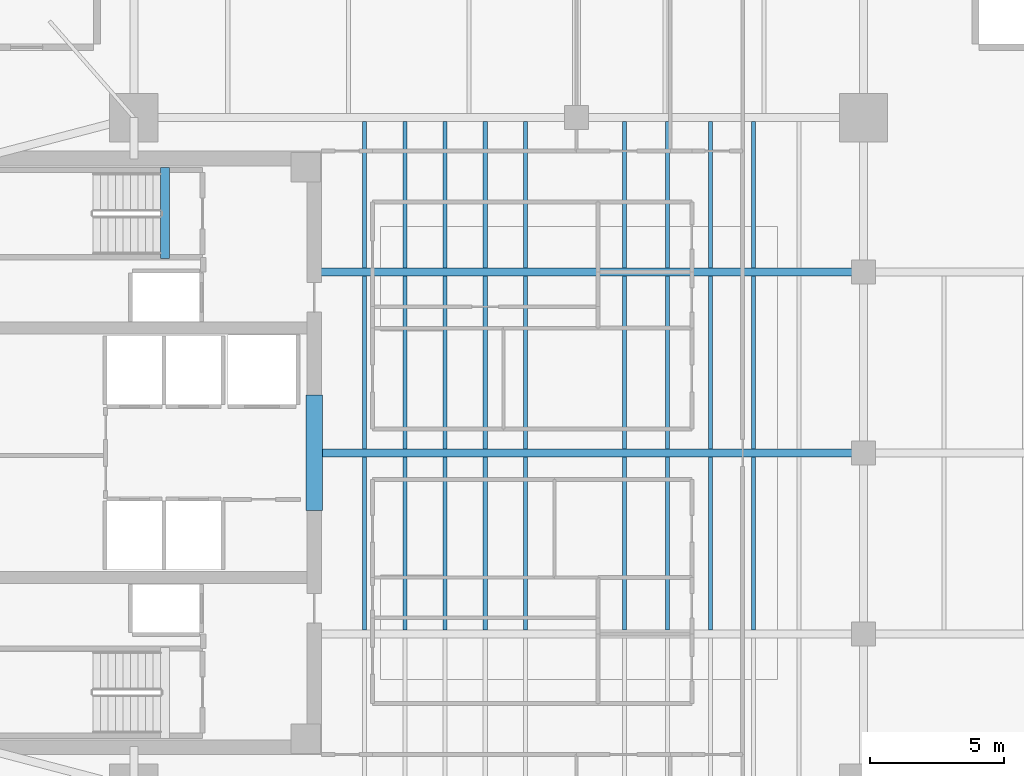
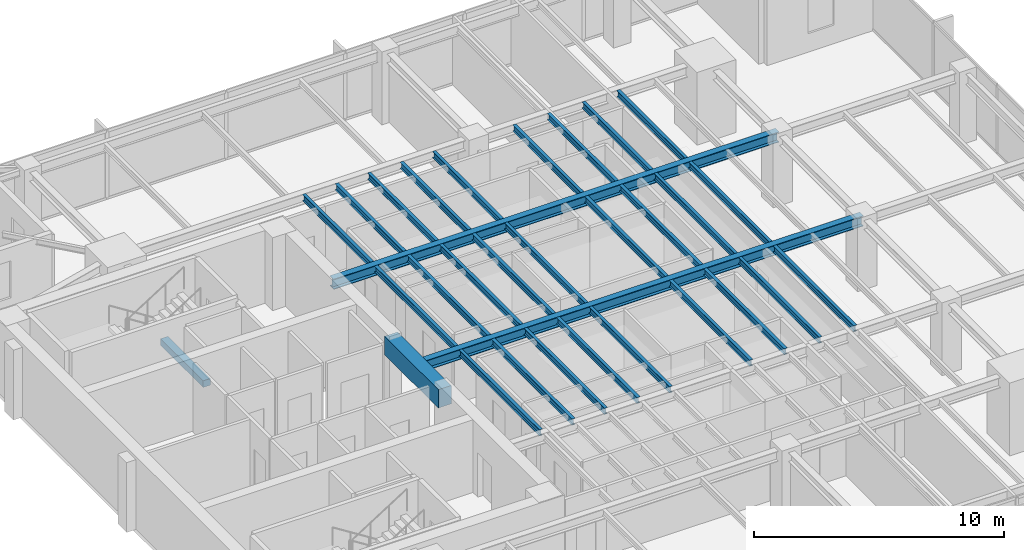
# One storey, part 3 of 14: 31 beams.
"""IFC4 building model written with IfcOpenShell, lengths in metres."""

from ifc_helpers import new_model, si_unit, direction, frame, origin, origin_2d, place, context, subcontext, project, spatial, rectangle, i_section, extrude, material, material_profile, profile_set, type_object, element, save


model = new_model("IFC4")

# Units and contexts
model_context = context("Model", 3, precision=1e-05, world=origin(), true_north=direction((0.0, 1.0)))
body_context = subcontext(model_context, "Body", "Model", "MODEL_VIEW")
ifc_project = project(units=[si_unit("LENGTHUNIT", "METRE"), si_unit("AREAUNIT", "SQUARE_METRE"), si_unit("VOLUMEUNIT", "CUBIC_METRE"), si_unit("PLANEANGLEUNIT", "RADIAN"), si_unit("MASSUNIT", "GRAM", prefix="KILO")], contexts=[model_context])

# Site, building, storey
site_placement = place(None, origin())
site = spatial("IfcSite", under=ifc_project, at=site_placement, CompositionType="ELEMENT")
building_placement = place(site_placement, origin())
building = spatial("IfcBuilding", under=site, at=building_placement, Name="Kinhvarn Gate Tower", CompositionType="ELEMENT")
storey_placement = place(building_placement, frame((0.0, 0.0, 216.449951171875)))
storey = spatial("IfcBuildingStorey", under=building, at=storey_placement, Name="L57", CompositionType="ELEMENT", Elevation=216.449951171875)

# Beams
ifc_material_1 = material(Name="Concrete C60/75", Category="concrete")
ifc_material_profile_1 = material_profile(ifc_material_1, rectangle(XDim=0.60009765625, YDim=0.89990234375, at=origin_2d()), Name="RC 600x900")
ifc_profile_set_1 = profile_set([ifc_material_profile_1], Name="Concrete C60/75")
beam_type_1 = type_object("IfcBeamType", Name="BM-CB-900", PredefinedType="LINTEL", material=ifc_profile_set_1)
beam_1_placement = place(storey_placement, frame((17.72509765625, 23.10009765625, 2.920166015625), z_axis=(0.0, 1.0, 0.0), x_axis=(-1.0, 0.0, 0.0)))
element("IfcBeam", 1, at=beam_1_placement, inside=storey, type_object=beam_type_1, Name="Core East Portal Coupling Beam L57", PredefinedType="LINTEL", context=body_context, shape_type="SweptSolid", body=[
    extrude(rectangle(XDim=0.60009765625, YDim=0.89990234375, at=origin_2d()), origin(), (0.0, 0.0, 1.0), 4.2998046875),
])
ifc_material_2 = material(Name="Concrete C50/60", Category="concrete")
ifc_material_profile_2 = material_profile(ifc_material_2, rectangle(XDim=0.340087890625, YDim=0.320068359375, at=origin_2d()), Name="RC 340x320")
ifc_profile_set_2 = profile_set([ifc_material_profile_2], Name="Concrete C50/60")
beam_type_2 = type_object("IfcBeamType", Name="BM-LND-500", PredefinedType="BEAM", material=ifc_profile_set_2)
beam_2_placement = place(storey_placement, frame((12.1650390625, 32.5, -0.159912109375), z_axis=(0.0, 1.0, 0.0), x_axis=(-1.0, 0.0, 0.0)))
element("IfcBeam", 2, at=beam_2_placement, inside=storey, type_object=beam_type_2, Name="Stair ST2 Landing Nosing Beam (L57)", PredefinedType="BEAM", context=body_context, shape_type="SweptSolid", body=[
    extrude(rectangle(XDim=0.340087890625, YDim=0.320068359375, at=origin_2d()), origin(), (0.0, 0.0, 1.0), 3.39990234375),
])
ifc_material_3 = material(Name="Steel S355", Category="steel")
ifc_material_profile_3 = material_profile(ifc_material_3, i_section(OverallWidth=0.300048828125, OverallDepth=0.5, WebThickness=0.014404296875, FlangeThickness=0.028076171875, at=origin_2d()), Name="HEB 500")
ifc_profile_set_3 = profile_set([ifc_material_profile_3], Name="Steel S355")
beam_type_3 = type_object("IfcBeamType", Name="STL-HEB500", PredefinedType="BEAM", material=ifc_profile_set_3)
beam_3_placement = place(storey_placement, frame((18.02490234375, 25.25, 3.1201171875), z_axis=(1.0, 0.0, 0.0), x_axis=(0.0, 1.0, 0.0)))
element("IfcBeam", 3, at=beam_3_placement, inside=storey, type_object=beam_type_3, Name="Floor Beam PG-14 (L57 EW1-Y25)", PredefinedType="BEAM", context=body_context, shape_type="SweptSolid", body=[
    extrude(i_section(OverallWidth=0.300048828125, OverallDepth=0.5, WebThickness=0.014404296875, FlangeThickness=0.028076171875, at=origin_2d()), origin(), (0.0, 0.0, 1.0), 20.175048828125),
])
beam_4_placement = place(storey_placement, frame((17.64990234375, 32.0, 3.1201171875), z_axis=(1.0, 0.0, 0.0), x_axis=(0.0, 1.0, 0.0)))
element("IfcBeam", 4, at=beam_4_placement, inside=storey, type_object=beam_type_3, Name="Floor Beam PG-14 (L57 EW1-Y32)", PredefinedType="BEAM", context=body_context, shape_type="SweptSolid", body=[
    extrude(i_section(OverallWidth=0.300048828125, OverallDepth=0.5, WebThickness=0.014404296875, FlangeThickness=0.028076171875, at=origin_2d()), origin(), (0.0, 0.0, 1.0), 20.550048828125),
])
ifc_material_profile_4 = material_profile(ifc_material_3, i_section(OverallWidth=0.14990234375, OverallDepth=0.300048828125, WebThickness=0.007080078125, FlangeThickness=0.0107421875, at=origin_2d()), Name="IPE 300")
ifc_profile_set_4 = profile_set([ifc_material_profile_4], Name="Steel S355")
beam_type_4 = type_object("IfcBeamType", Name="STL-IPE300", PredefinedType="JOIST", material=ifc_profile_set_4)
for number, where, z_axis, x_axis, name in (
    (5, (19.60009765625, 18.64990234375, 3.219970703125), (0.0, 1.0, 0.0), (-1.0, 0.0, 0.0), "Floor Joist SB-02 (L57 JC-X196-1)"),
    (6, (19.60009765625, 25.39990234375, 3.219970703125), (0.0, 1.0, 0.0), (-1.0, 0.0, 0.0), "Floor Joist SB-02 (L57 JC-X196-2)"),
):
    element("IfcBeam", number, at=place(storey_placement, frame(where, z_axis=z_axis, x_axis=x_axis)), inside=storey, type_object=beam_type_4, Name=name, PredefinedType="JOIST", context=body_context, shape_type="SweptSolid", body=[
        extrude(i_section(OverallWidth=0.14990234375, OverallDepth=0.300048828125, WebThickness=0.007080078125, FlangeThickness=0.0107421875, at=origin_2d()), origin(), (0.0, 0.0, 1.0), 6.4501953125),
    ])
beam_5_placement = place(storey_placement, frame((19.60009765625, 32.14990234375, 3.219970703125), z_axis=(0.0, 1.0, 0.0), x_axis=(-1.0, 0.0, 0.0)))
element("IfcBeam", 7, at=beam_5_placement, inside=storey, type_object=beam_type_4, Name="Floor Joist SB-02 (L57 JC-X196-3)", PredefinedType="JOIST", context=body_context, shape_type="SweptSolid", body=[
    extrude(i_section(OverallWidth=0.14990234375, OverallDepth=0.300048828125, WebThickness=0.007080078125, FlangeThickness=0.0107421875, at=origin_2d()), origin(), (0.0, 0.0, 1.0), 5.4501953125),
])
for number, where, z_axis, x_axis, name in (
    (8, (21.10009765625, 18.64990234375, 3.219970703125), (0.0, 1.0, 0.0), (-1.0, 0.0, 0.0), "Floor Joist SB-02 (L57 JC-X211-1)"),
    (9, (21.10009765625, 25.39990234375, 3.219970703125), (0.0, 1.0, 0.0), (-1.0, 0.0, 0.0), "Floor Joist SB-02 (L57 JC-X211-2)"),
):
    element("IfcBeam", number, at=place(storey_placement, frame(where, z_axis=z_axis, x_axis=x_axis)), inside=storey, type_object=beam_type_4, Name=name, PredefinedType="JOIST", context=body_context, shape_type="SweptSolid", body=[
        extrude(i_section(OverallWidth=0.14990234375, OverallDepth=0.300048828125, WebThickness=0.007080078125, FlangeThickness=0.0107421875, at=origin_2d()), origin(), (0.0, 0.0, 1.0), 6.4501953125),
    ])
beam_6_placement = place(storey_placement, frame((21.10009765625, 32.14990234375, 3.219970703125), z_axis=(0.0, 1.0, 0.0), x_axis=(-1.0, 0.0, 0.0)))
element("IfcBeam", 10, at=beam_6_placement, inside=storey, type_object=beam_type_4, Name="Floor Joist SB-02 (L57 JC-X211-3)", PredefinedType="JOIST", context=body_context, shape_type="SweptSolid", body=[
    extrude(i_section(OverallWidth=0.14990234375, OverallDepth=0.300048828125, WebThickness=0.007080078125, FlangeThickness=0.0107421875, at=origin_2d()), origin(), (0.0, 0.0, 1.0), 5.4501953125),
])
for number, where, z_axis, x_axis, name in (
    (11, (22.60009765625, 18.64990234375, 3.219970703125), (0.0, 1.0, 0.0), (-1.0, 0.0, 0.0), "Floor Joist SB-02 (L57 JC-X226-1)"),
    (12, (22.60009765625, 25.39990234375, 3.219970703125), (0.0, 1.0, 0.0), (-1.0, 0.0, 0.0), "Floor Joist SB-02 (L57 JC-X226-2)"),
):
    element("IfcBeam", number, at=place(storey_placement, frame(where, z_axis=z_axis, x_axis=x_axis)), inside=storey, type_object=beam_type_4, Name=name, PredefinedType="JOIST", context=body_context, shape_type="SweptSolid", body=[
        extrude(i_section(OverallWidth=0.14990234375, OverallDepth=0.300048828125, WebThickness=0.007080078125, FlangeThickness=0.0107421875, at=origin_2d()), origin(), (0.0, 0.0, 1.0), 6.4501953125),
    ])
beam_7_placement = place(storey_placement, frame((22.60009765625, 32.14990234375, 3.219970703125), z_axis=(0.0, 1.0, 0.0), x_axis=(-1.0, 0.0, 0.0)))
element("IfcBeam", 13, at=beam_7_placement, inside=storey, type_object=beam_type_4, Name="Floor Joist SB-02 (L57 JC-X226-3)", PredefinedType="JOIST", context=body_context, shape_type="SweptSolid", body=[
    extrude(i_section(OverallWidth=0.14990234375, OverallDepth=0.300048828125, WebThickness=0.007080078125, FlangeThickness=0.0107421875, at=origin_2d()), origin(), (0.0, 0.0, 1.0), 5.4501953125),
])
for number, where, z_axis, x_axis, name in (
    (14, (24.10009765625, 18.64990234375, 3.219970703125), (0.0, 1.0, 0.0), (-1.0, 0.0, 0.0), "Floor Joist SB-02 (L57 JC-X241-1)"),
    (15, (24.10009765625, 25.39990234375, 3.219970703125), (0.0, 1.0, 0.0), (-1.0, 0.0, 0.0), "Floor Joist SB-02 (L57 JC-X241-2)"),
):
    element("IfcBeam", number, at=place(storey_placement, frame(where, z_axis=z_axis, x_axis=x_axis)), inside=storey, type_object=beam_type_4, Name=name, PredefinedType="JOIST", context=body_context, shape_type="SweptSolid", body=[
        extrude(i_section(OverallWidth=0.14990234375, OverallDepth=0.300048828125, WebThickness=0.007080078125, FlangeThickness=0.0107421875, at=origin_2d()), origin(), (0.0, 0.0, 1.0), 6.4501953125),
    ])
beam_8_placement = place(storey_placement, frame((24.10009765625, 32.14990234375, 3.219970703125), z_axis=(0.0, 1.0, 0.0), x_axis=(-1.0, 0.0, 0.0)))
element("IfcBeam", 16, at=beam_8_placement, inside=storey, type_object=beam_type_4, Name="Floor Joist SB-02 (L57 JC-X241-3)", PredefinedType="JOIST", context=body_context, shape_type="SweptSolid", body=[
    extrude(i_section(OverallWidth=0.14990234375, OverallDepth=0.300048828125, WebThickness=0.007080078125, FlangeThickness=0.0107421875, at=origin_2d()), origin(), (0.0, 0.0, 1.0), 5.4501953125),
])
for number, where, z_axis, x_axis, name in (
    (17, (25.60009765625, 18.64990234375, 3.219970703125), (0.0, 1.0, 0.0), (-1.0, 0.0, 0.0), "Floor Joist SB-02 (L57 JC-X256-1)"),
    (18, (25.60009765625, 25.39990234375, 3.219970703125), (0.0, 1.0, 0.0), (-1.0, 0.0, 0.0), "Floor Joist SB-02 (L57 JC-X256-2)"),
):
    element("IfcBeam", number, at=place(storey_placement, frame(where, z_axis=z_axis, x_axis=x_axis)), inside=storey, type_object=beam_type_4, Name=name, PredefinedType="JOIST", context=body_context, shape_type="SweptSolid", body=[
        extrude(i_section(OverallWidth=0.14990234375, OverallDepth=0.300048828125, WebThickness=0.007080078125, FlangeThickness=0.0107421875, at=origin_2d()), origin(), (0.0, 0.0, 1.0), 6.4501953125),
    ])
beam_9_placement = place(storey_placement, frame((25.60009765625, 32.14990234375, 3.219970703125), z_axis=(0.0, 1.0, 0.0), x_axis=(-1.0, 0.0, 0.0)))
element("IfcBeam", 19, at=beam_9_placement, inside=storey, type_object=beam_type_4, Name="Floor Joist SB-02 (L57 JC-X256-3)", PredefinedType="JOIST", context=body_context, shape_type="SweptSolid", body=[
    extrude(i_section(OverallWidth=0.14990234375, OverallDepth=0.300048828125, WebThickness=0.007080078125, FlangeThickness=0.0107421875, at=origin_2d()), origin(), (0.0, 0.0, 1.0), 5.4501953125),
])
for number, where, z_axis, x_axis, name in (
    (20, (29.300048828125, 18.64990234375, 3.219970703125), (0.0, 1.0, 0.0), (-1.0, 0.0, 0.0), "Floor Joist SB-02 (L57 JC-X293-1)"),
    (21, (29.300048828125, 25.39990234375, 3.219970703125), (0.0, 1.0, 0.0), (-1.0, 0.0, 0.0), "Floor Joist SB-02 (L57 JC-X293-2)"),
):
    element("IfcBeam", number, at=place(storey_placement, frame(where, z_axis=z_axis, x_axis=x_axis)), inside=storey, type_object=beam_type_4, Name=name, PredefinedType="JOIST", context=body_context, shape_type="SweptSolid", body=[
        extrude(i_section(OverallWidth=0.14990234375, OverallDepth=0.300048828125, WebThickness=0.007080078125, FlangeThickness=0.0107421875, at=origin_2d()), origin(), (0.0, 0.0, 1.0), 6.4501953125),
    ])
beam_10_placement = place(storey_placement, frame((29.300048828125, 32.14990234375, 3.219970703125), z_axis=(0.0, 1.0, 0.0), x_axis=(-1.0, 0.0, 0.0)))
element("IfcBeam", 22, at=beam_10_placement, inside=storey, type_object=beam_type_4, Name="Floor Joist SB-02 (L57 JC-X293-3)", PredefinedType="JOIST", context=body_context, shape_type="SweptSolid", body=[
    extrude(i_section(OverallWidth=0.14990234375, OverallDepth=0.300048828125, WebThickness=0.007080078125, FlangeThickness=0.0107421875, at=origin_2d()), origin(), (0.0, 0.0, 1.0), 5.4501953125),
])
for number, where, z_axis, x_axis, name in (
    (23, (30.89990234375, 18.64990234375, 3.219970703125), (0.0, 1.0, 0.0), (-1.0, 0.0, 0.0), "Floor Joist SB-02 (L57 JC-X309-1)"),
    (24, (30.89990234375, 25.39990234375, 3.219970703125), (0.0, 1.0, 0.0), (-1.0, 0.0, 0.0), "Floor Joist SB-02 (L57 JC-X309-2)"),
):
    element("IfcBeam", number, at=place(storey_placement, frame(where, z_axis=z_axis, x_axis=x_axis)), inside=storey, type_object=beam_type_4, Name=name, PredefinedType="JOIST", context=body_context, shape_type="SweptSolid", body=[
        extrude(i_section(OverallWidth=0.14990234375, OverallDepth=0.300048828125, WebThickness=0.007080078125, FlangeThickness=0.0107421875, at=origin_2d()), origin(), (0.0, 0.0, 1.0), 6.4501953125),
    ])
beam_11_placement = place(storey_placement, frame((30.89990234375, 32.14990234375, 3.219970703125), z_axis=(0.0, 1.0, 0.0), x_axis=(-1.0, 0.0, 0.0)))
element("IfcBeam", 25, at=beam_11_placement, inside=storey, type_object=beam_type_4, Name="Floor Joist SB-02 (L57 JC-X309-3)", PredefinedType="JOIST", context=body_context, shape_type="SweptSolid", body=[
    extrude(i_section(OverallWidth=0.14990234375, OverallDepth=0.300048828125, WebThickness=0.007080078125, FlangeThickness=0.0107421875, at=origin_2d()), origin(), (0.0, 0.0, 1.0), 5.4501953125),
])
for number, where, z_axis, x_axis, name in (
    (26, (32.5, 18.64990234375, 3.219970703125), (0.0, 1.0, 0.0), (-1.0, 0.0, 0.0), "Floor Joist SB-02 (L57 JC-X325-1)"),
    (27, (32.5, 25.39990234375, 3.219970703125), (0.0, 1.0, 0.0), (-1.0, 0.0, 0.0), "Floor Joist SB-02 (L57 JC-X325-2)"),
):
    element("IfcBeam", number, at=place(storey_placement, frame(where, z_axis=z_axis, x_axis=x_axis)), inside=storey, type_object=beam_type_4, Name=name, PredefinedType="JOIST", context=body_context, shape_type="SweptSolid", body=[
        extrude(i_section(OverallWidth=0.14990234375, OverallDepth=0.300048828125, WebThickness=0.007080078125, FlangeThickness=0.0107421875, at=origin_2d()), origin(), (0.0, 0.0, 1.0), 6.4501953125),
    ])
beam_12_placement = place(storey_placement, frame((32.5, 32.14990234375, 3.219970703125), z_axis=(0.0, 1.0, 0.0), x_axis=(-1.0, 0.0, 0.0)))
element("IfcBeam", 28, at=beam_12_placement, inside=storey, type_object=beam_type_4, Name="Floor Joist SB-02 (L57 JC-X325-3)", PredefinedType="JOIST", context=body_context, shape_type="SweptSolid", body=[
    extrude(i_section(OverallWidth=0.14990234375, OverallDepth=0.300048828125, WebThickness=0.007080078125, FlangeThickness=0.0107421875, at=origin_2d()), origin(), (0.0, 0.0, 1.0), 5.4501953125),
])
for number, where, z_axis, x_axis, name in (
    (29, (34.10009765625, 18.64990234375, 3.219970703125), (0.0, 1.0, 0.0), (-1.0, 0.0, 0.0), "Floor Joist SB-02 (L57 JC-X341-1)"),
    (30, (34.10009765625, 25.39990234375, 3.219970703125), (0.0, 1.0, 0.0), (-1.0, 0.0, 0.0), "Floor Joist SB-02 (L57 JC-X341-2)"),
):
    element("IfcBeam", number, at=place(storey_placement, frame(where, z_axis=z_axis, x_axis=x_axis)), inside=storey, type_object=beam_type_4, Name=name, PredefinedType="JOIST", context=body_context, shape_type="SweptSolid", body=[
        extrude(i_section(OverallWidth=0.14990234375, OverallDepth=0.300048828125, WebThickness=0.007080078125, FlangeThickness=0.0107421875, at=origin_2d()), origin(), (0.0, 0.0, 1.0), 6.4501953125),
    ])
beam_13_placement = place(storey_placement, frame((34.10009765625, 32.14990234375, 3.219970703125), z_axis=(0.0, 1.0, 0.0), x_axis=(-1.0, 0.0, 0.0)))
element("IfcBeam", 31, at=beam_13_placement, inside=storey, type_object=beam_type_4, Name="Floor Joist SB-02 (L57 JC-X341-3)", PredefinedType="JOIST", context=body_context, shape_type="SweptSolid", body=[
    extrude(i_section(OverallWidth=0.14990234375, OverallDepth=0.300048828125, WebThickness=0.007080078125, FlangeThickness=0.0107421875, at=origin_2d()), origin(), (0.0, 0.0, 1.0), 5.4501953125),
])

save(model, "model.ifc")
